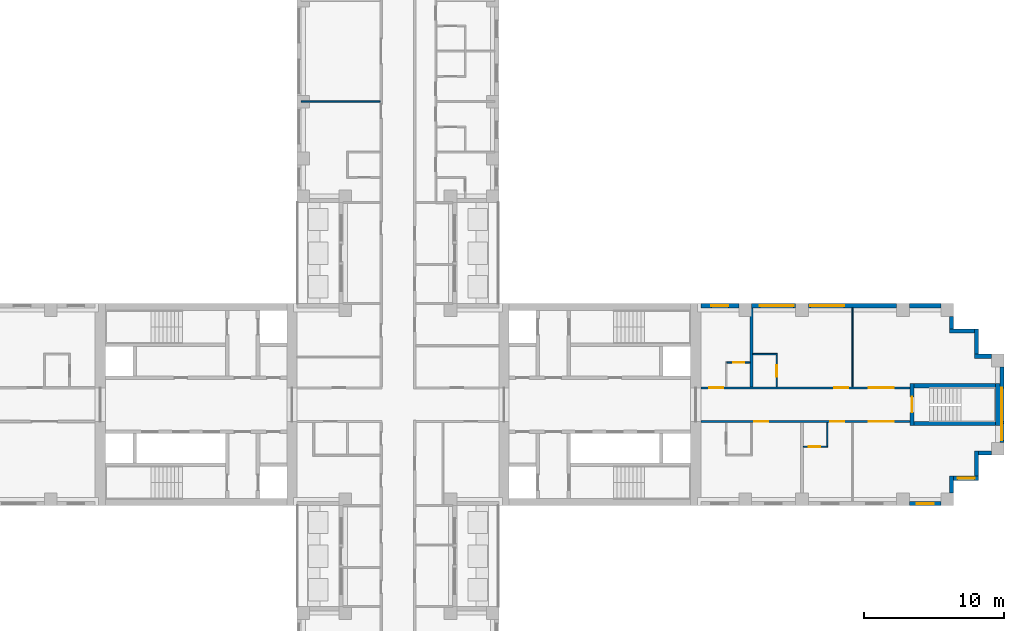
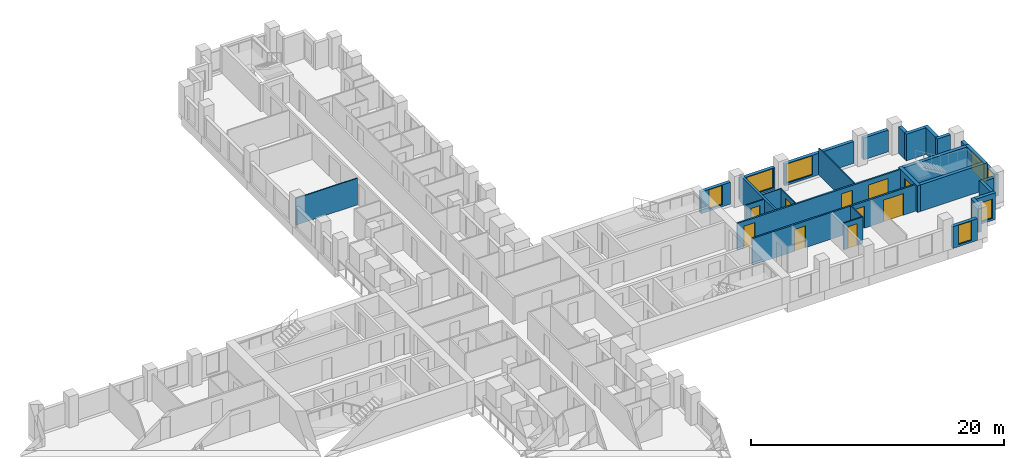
# One storey, part 10 of 15: 28 walls, 10 doors, 7 windows, 17 openings.
"""IFC4 building model written with IfcOpenShell, lengths in metres."""

from ifc_helpers import new_model, si_unit, direction, frame, frame_2d, origin, place, context, subcontext, project, spatial, rectangle, extrude, material, layer, layer_set, type_object, element, fill, save


model = new_model("IFC4")

# Units and contexts
model_context = context("Model", 3, precision=1e-05, world=origin(), true_north=direction((0.0, 1.0)))
body_context = subcontext(model_context, "Body", "Model", "MODEL_VIEW")
ifc_project = project(units=[si_unit("LENGTHUNIT", "METRE"), si_unit("AREAUNIT", "SQUARE_METRE"), si_unit("VOLUMEUNIT", "CUBIC_METRE"), si_unit("PLANEANGLEUNIT", "RADIAN"), si_unit("MASSUNIT", "GRAM", prefix="KILO")], contexts=[model_context])

# Site, building, storey
site_placement = place(None, origin())
site = spatial("IfcSite", under=ifc_project, at=site_placement, CompositionType="ELEMENT")
building_placement = place(site_placement, origin())
building = spatial("IfcBuilding", under=site, at=building_placement, Name="Fustian Cross Tower", CompositionType="ELEMENT")
storey_placement = place(building_placement, frame((0.0, 0.0, 38.699951171875)))
storey = spatial("IfcBuildingStorey", under=building, at=storey_placement, Name="L11", CompositionType="ELEMENT", Elevation=38.699951171875)

# Wall, openings, doors
ifc_material_1 = material(Name="Plasterboard on steel stud", Category="steel")
ifc_layer_1 = layer(ifc_material_1, 0.14990234375)
ifc_layer_set_1 = layer_set([ifc_layer_1], Name="Plasterboard on steel stud")
wall_type_1 = type_object("IfcWallType", Name="COMPARTMENT WALL 150 EI 60", PredefinedType="PARTITIONING", material=ifc_layer_set_1)
wall_1_placement = place(storey_placement, frame((21.60009765625, -1.199951171875, 0.0), z_axis=(0.0, 0.0, 1.0), x_axis=(1.0, 0.0, 0.0)))
wall_1 = element("IfcWall", 1, at=wall_1_placement, inside=storey, type_object=wall_type_1, Name="Partition 80", PredefinedType="PARTITIONING", context=body_context, shape_type="SweptSolid", body=[
    extrude(rectangle(XDim=14.89990234375, YDim=0.14990234375, at=frame_2d((7.449951171875, 0.0))), origin(), (0.0, 0.0, 1.0), 2.574951171875),
])
opening_1_placement = place(wall_1_placement, frame((3.800048828125, 0.0, 0.0)))
opening_1 = element("IfcOpeningElement", 2, at=opening_1_placement, cuts=wall_1, Name="Opening D07016", PredefinedType="OPENING", context=body_context, shape_type="SweptSolid", body=[
    extrude(rectangle(XDim=1.0, YDim=2.10009765625, at=frame_2d((0.5, 1.050048828125))), frame((0.0, 0.0849609375, 0.0), z_axis=(0.0, -1.0, 0.0), x_axis=(1.0, 0.0, 0.0)), (0.0, 0.0, 1.0), 0.169921875),
])
opening_2_placement = place(wall_1_placement, frame((9.199951171875, 0.0, 0.0)))
opening_2 = element("IfcOpeningElement", 3, at=opening_2_placement, cuts=wall_1, Name="Opening D07018", PredefinedType="OPENING", context=body_context, shape_type="SweptSolid", body=[
    extrude(rectangle(XDim=1.0, YDim=2.10009765625, at=frame_2d((0.5, 1.050048828125))), frame((0.0, 0.0849609375, 0.0), z_axis=(0.0, -1.0, 0.0), x_axis=(1.0, 0.0, 0.0)), (0.0, 0.0, 1.0), 0.169921875),
])
opening_3_placement = place(wall_1_placement, frame((11.949951171875, 0.0, 0.0)))
opening_3 = element("IfcOpeningElement", 4, at=opening_3_placement, cuts=wall_1, Name="Opening D07019", PredefinedType="OPENING", context=body_context, shape_type="SweptSolid", body=[
    extrude(rectangle(XDim=1.800048828125, YDim=2.10009765625, at=frame_2d((0.89990234375, 1.050048828125))), frame((0.0, 0.0849609375, 0.0), z_axis=(0.0, -1.0, 0.0), x_axis=(1.0, 0.0, 0.0)), (0.0, 0.0, 1.0), 0.169921875),
])
ifc_material_2 = material(Name="Timber fire door set", Category="wood")
door_type_1 = type_object("IfcDoorType", Name="FIRE DOUBLE DOOR 1800 FD30S", OperationType="DOUBLE_DOOR_DOUBLE_SWING", PredefinedType="DOOR", material=ifc_material_2)
door_1_placement = place(opening_3_placement, origin())
door_1 = element("IfcDoor", 5, at=door_1_placement, inside=storey, type_object=door_type_1, Name="Door D07019", OperationType="DOUBLE_DOOR_DOUBLE_SWING", OverallHeight=2.10009765625, OverallWidth=1.800048828125, PredefinedType="DOOR", context=body_context, shape_type="SweptSolid", body=[
    extrude(rectangle(XDim=1.800048828125, YDim=2.10009765625, at=frame_2d((0.89990234375, 1.050048828125))), frame((0.0, 0.02490234375, 0.0), z_axis=(0.0, -1.0, 0.0), x_axis=(1.0, 0.0, 0.0)), (0.0, 0.0, 1.0), 0.050048828125),
])
fill(opening_3, door_1)
ifc_material_3 = material(Name="Timber fire door set", Category="wood")
door_type_2 = type_object("IfcDoorType", Name="FIRE SWING DOOR 1000 FD30S", OperationType="SINGLE_SWING_LEFT", PredefinedType="DOOR", material=ifc_material_3)
door_2_placement = place(opening_1_placement, frame((1.0, 0.0, 0.0), z_axis=(0.0, 0.0, 1.0), x_axis=(-1.0, 0.0, 0.0)))
door_2 = element("IfcDoor", 6, at=door_2_placement, inside=storey, type_object=door_type_2, Name="Door D07016", OperationType="SINGLE_SWING_RIGHT", OverallHeight=2.10009765625, OverallWidth=1.0, PredefinedType="DOOR", context=body_context, shape_type="SweptSolid", body=[
    extrude(rectangle(XDim=1.0, YDim=2.10009765625, at=frame_2d((0.5, 1.050048828125))), frame((0.0, 0.02490234375, 0.0), z_axis=(0.0, -1.0, 0.0), x_axis=(1.0, 0.0, 0.0)), (0.0, 0.0, 1.0), 0.050048828125),
])
fill(opening_1, door_2)
door_3_placement = place(opening_2_placement, frame((1.0, 0.0, 0.0), z_axis=(0.0, 0.0, 1.0), x_axis=(-1.0, 0.0, 0.0)))
door_3 = element("IfcDoor", 7, at=door_3_placement, inside=storey, type_object=door_type_2, Name="Door D07018", OperationType="SINGLE_SWING_RIGHT", OverallHeight=2.10009765625, OverallWidth=1.0, PredefinedType="DOOR", context=body_context, shape_type="SweptSolid", body=[
    extrude(rectangle(XDim=1.0, YDim=2.10009765625, at=frame_2d((0.5, 1.050048828125))), frame((0.0, 0.02490234375, 0.0), z_axis=(0.0, -1.0, 0.0), x_axis=(1.0, 0.0, 0.0)), (0.0, 0.0, 1.0), 0.050048828125),
])
fill(opening_2, door_3)

wall_2_placement = place(storey_placement, frame((21.60009765625, 1.199951171875, 0.0), z_axis=(0.0, 0.0, 1.0), x_axis=(1.0, 0.0, 0.0)))
wall_2 = element("IfcWall", 8, at=wall_2_placement, inside=storey, type_object=wall_type_1, Name="Partition 81", PredefinedType="PARTITIONING", context=body_context, shape_type="SweptSolid", body=[
    extrude(rectangle(XDim=14.89990234375, YDim=0.14990234375, at=frame_2d((7.449951171875, 0.0))), origin(), (0.0, 0.0, 1.0), 2.574951171875),
])
opening_4_placement = place(wall_2_placement, frame((0.60009765625, 0.0, 0.0)))
opening_4 = element("IfcOpeningElement", 9, at=opening_4_placement, cuts=wall_2, Name="Opening D07011", PredefinedType="OPENING", context=body_context, shape_type="SweptSolid", body=[
    extrude(rectangle(XDim=1.0, YDim=2.10009765625, at=frame_2d((0.5, 1.050048828125))), frame((0.0, 0.0849609375, 0.0), z_axis=(0.0, -1.0, 0.0), x_axis=(1.0, 0.0, 0.0)), (0.0, 0.0, 1.0), 0.169921875),
])
opening_5_placement = place(wall_2_placement, frame((9.489990234375, 0.0, 0.0)))
opening_5 = element("IfcOpeningElement", 10, at=opening_5_placement, cuts=wall_2, Name="Opening D07013", PredefinedType="OPENING", context=body_context, shape_type="SweptSolid", body=[
    extrude(rectangle(XDim=1.0, YDim=2.10009765625, at=frame_2d((0.5, 1.050048828125))), frame((0.0, 0.0849609375, 0.0), z_axis=(0.0, -1.0, 0.0), x_axis=(1.0, 0.0, 0.0)), (0.0, 0.0, 1.0), 0.169921875),
])
opening_6_placement = place(wall_2_placement, frame((11.949951171875, 0.0, 0.0)))
opening_6 = element("IfcOpeningElement", 11, at=opening_6_placement, cuts=wall_2, Name="Opening D07014", PredefinedType="OPENING", context=body_context, shape_type="SweptSolid", body=[
    extrude(rectangle(XDim=1.800048828125, YDim=2.10009765625, at=frame_2d((0.89990234375, 1.050048828125))), frame((0.0, 0.0849609375, 0.0), z_axis=(0.0, -1.0, 0.0), x_axis=(1.0, 0.0, 0.0)), (0.0, 0.0, 1.0), 0.169921875),
])
door_4_placement = place(opening_6_placement, frame((1.800048828125, 0.0, 0.0), z_axis=(0.0, 0.0, 1.0), x_axis=(-1.0, 0.0, 0.0)))
door_4 = element("IfcDoor", 12, at=door_4_placement, inside=storey, type_object=door_type_1, Name="Door D07014", OperationType="DOUBLE_DOOR_DOUBLE_SWING", OverallHeight=2.10009765625, OverallWidth=1.800048828125, PredefinedType="DOOR", context=body_context, shape_type="SweptSolid", body=[
    extrude(rectangle(XDim=1.800048828125, YDim=2.10009765625, at=frame_2d((0.89990234375, 1.050048828125))), frame((0.0, 0.02490234375, 0.0), z_axis=(0.0, -1.0, 0.0), x_axis=(1.0, 0.0, 0.0)), (0.0, 0.0, 1.0), 0.050048828125),
])
fill(opening_6, door_4)
door_5_placement = place(opening_4_placement, origin())
door_5 = element("IfcDoor", 13, at=door_5_placement, inside=storey, type_object=door_type_2, Name="Door D07011", OperationType="SINGLE_SWING_RIGHT", OverallHeight=2.10009765625, OverallWidth=1.0, PredefinedType="DOOR", context=body_context, shape_type="SweptSolid", body=[
    extrude(rectangle(XDim=1.0, YDim=2.10009765625, at=frame_2d((0.5, 1.050048828125))), frame((0.0, 0.02490234375, 0.0), z_axis=(0.0, -1.0, 0.0), x_axis=(1.0, 0.0, 0.0)), (0.0, 0.0, 1.0), 0.050048828125),
])
fill(opening_4, door_5)
door_6_placement = place(opening_5_placement, origin())
door_6 = element("IfcDoor", 14, at=door_6_placement, inside=storey, type_object=door_type_2, Name="Door D07013", OperationType="SINGLE_SWING_RIGHT", OverallHeight=2.10009765625, OverallWidth=1.0, PredefinedType="DOOR", context=body_context, shape_type="SweptSolid", body=[
    extrude(rectangle(XDim=1.0, YDim=2.10009765625, at=frame_2d((0.5, 1.050048828125))), frame((0.0, 0.02490234375, 0.0), z_axis=(0.0, -1.0, 0.0), x_axis=(1.0, 0.0, 0.0)), (0.0, 0.0, 1.0), 0.050048828125),
])
fill(opening_5, door_6)

# Wall
ifc_material_4 = material(Name="Plasterboard on steel stud", Category="steel")
ifc_layer_2 = layer(ifc_material_4, 0.10009765625)
ifc_layer_set_2 = layer_set([ifc_layer_2], Name="Plasterboard on steel stud")
wall_type_2 = type_object("IfcWallType", Name="PARTITION 100 STUD", PredefinedType="PARTITIONING", material=ifc_layer_set_2)
wall_3_placement = place(storey_placement, frame((-6.89990234375, 21.60009765625, 0.0), z_axis=(0.0, 0.0, 1.0), x_axis=(1.0, 0.0, 0.0)))
element("IfcWall", 15, at=wall_3_placement, inside=storey, type_object=wall_type_2, Name="Partition 19", PredefinedType="PARTITIONING", context=body_context, shape_type="SweptSolid", body=[
    extrude(rectangle(XDim=5.625, YDim=0.10009765625, at=frame_2d((2.8125, 0.0))), origin(), (0.0, 0.0, 1.0), 2.574951171875),
])

# Wall, opening, door
wall_4_placement = place(storey_placement, frame((23.449951171875, 3.0, 0.0), z_axis=(0.0, 0.0, 1.0), x_axis=(1.0, 0.0, 0.0)))
wall_4 = element("IfcWall", 16, at=wall_4_placement, inside=storey, type_object=wall_type_2, Name="Partition 85", PredefinedType="PARTITIONING", context=body_context, shape_type="SweptSolid", body=[
    extrude(rectangle(XDim=1.650146484375, YDim=0.10009765625, at=frame_2d((0.8251953125, 0.0))), origin(), (0.0, 0.0, 1.0), 2.574951171875),
])
opening_7_placement = place(wall_4_placement, frame((0.449951171875, 0.0, 0.0)))
opening_7 = element("IfcOpeningElement", 17, at=opening_7_placement, cuts=wall_4, Name="Opening D07010", PredefinedType="OPENING", context=body_context, shape_type="SweptSolid", body=[
    extrude(rectangle(XDim=0.800048828125, YDim=2.10009765625, at=frame_2d((0.39990234375, 1.050048828125))), frame((0.0, 0.06005859375, 0.0), z_axis=(0.0, -1.0, 0.0), x_axis=(1.0, 0.0, 0.0)), (0.0, 0.0, 1.0), 0.1201171875),
])
ifc_material_5 = material(Name="Painted timber", Category="wood")
door_type_3 = type_object("IfcDoorType", Name="SWING DOOR 800", OperationType="SINGLE_SWING_LEFT", PredefinedType="DOOR", material=ifc_material_5)
door_7_placement = place(opening_7_placement, frame((0.800048828125, 0.0, 0.0), z_axis=(0.0, 0.0, 1.0), x_axis=(-1.0, 0.0, 0.0)))
door_7 = element("IfcDoor", 18, at=door_7_placement, inside=storey, type_object=door_type_3, Name="Door D07010", OperationType="SINGLE_SWING_LEFT", OverallHeight=2.10009765625, OverallWidth=0.800048828125, PredefinedType="DOOR", context=body_context, shape_type="SweptSolid", body=[
    extrude(rectangle(XDim=0.800048828125, YDim=2.10009765625, at=frame_2d((0.39990234375, 1.050048828125))), frame((0.0, 0.02490234375, 0.0), z_axis=(0.0, -1.0, 0.0), x_axis=(1.0, 0.0, 0.0)), (0.0, 0.0, 1.0), 0.050048828125),
])
fill(opening_7, door_7)

# Wall
wall_5_placement = place(storey_placement, frame((25.300048828125, 3.60009765625, 0.0), z_axis=(0.0, 0.0, 1.0), x_axis=(1.0, 0.0, 0.0)))
element("IfcWall", 19, at=wall_5_placement, inside=storey, type_object=wall_type_2, Name="Partition 88", PredefinedType="PARTITIONING", context=body_context, shape_type="SweptSolid", body=[
    extrude(rectangle(XDim=1.75, YDim=0.10009765625, at=frame_2d((0.875, 0.0))), origin(), (0.0, 0.0, 1.0), 2.574951171875),
])

# Wall, opening, door
wall_6_placement = place(storey_placement, frame((27.0, 1.27490234375, 0.0), z_axis=(0.0, 0.0, 1.0), x_axis=(0.0, 1.0, 0.0)))
wall_6 = element("IfcWall", 20, at=wall_6_placement, inside=storey, type_object=wall_type_2, Name="Partition 89", PredefinedType="PARTITIONING", context=body_context, shape_type="SweptSolid", body=[
    extrude(rectangle(XDim=2.275146484375, YDim=0.10009765625, at=frame_2d((1.1376953125, 0.0))), origin(), (0.0, 0.0, 1.0), 2.574951171875),
])
opening_8_placement = place(wall_6_placement, frame((0.72509765625, 0.0, 0.0)))
opening_8 = element("IfcOpeningElement", 21, at=opening_8_placement, cuts=wall_6, Name="Opening D07012", PredefinedType="OPENING", context=body_context, shape_type="SweptSolid", body=[
    extrude(rectangle(XDim=0.800048828125, YDim=2.10009765625, at=frame_2d((0.39990234375, 1.050048828125))), frame((0.0, 0.06005859375, 0.0), z_axis=(0.0, -1.0, 0.0), x_axis=(1.0, 0.0, 0.0)), (0.0, 0.0, 1.0), 0.1201171875),
])
door_8_placement = place(opening_8_placement, origin())
door_8 = element("IfcDoor", 22, at=door_8_placement, inside=storey, type_object=door_type_3, Name="Door D07012", OperationType="SINGLE_SWING_LEFT", OverallHeight=2.10009765625, OverallWidth=0.800048828125, PredefinedType="DOOR", context=body_context, shape_type="SweptSolid", body=[
    extrude(rectangle(XDim=0.800048828125, YDim=2.10009765625, at=frame_2d((0.39990234375, 1.050048828125))), frame((0.0, 0.02490234375, 0.0), z_axis=(0.0, -1.0, 0.0), x_axis=(1.0, 0.0, 0.0)), (0.0, 0.0, 1.0), 0.050048828125),
])
fill(opening_8, door_8)

wall_7_placement = place(storey_placement, frame((28.89990234375, -3.0, 0.0), z_axis=(0.0, 0.0, 1.0), x_axis=(1.0, 0.0, 0.0)))
wall_7 = element("IfcWall", 23, at=wall_7_placement, inside=storey, type_object=wall_type_2, Name="Partition 91", PredefinedType="PARTITIONING", context=body_context, shape_type="SweptSolid", body=[
    extrude(rectangle(XDim=1.75, YDim=0.10009765625, at=frame_2d((0.875, 0.0))), origin(), (0.0, 0.0, 1.0), 2.574951171875),
])
opening_9_placement = place(wall_7_placement, frame((0.39990234375, 0.0, 0.0)))
opening_9 = element("IfcOpeningElement", 24, at=opening_9_placement, cuts=wall_7, Name="Opening D07017", PredefinedType="OPENING", context=body_context, shape_type="SweptSolid", body=[
    extrude(rectangle(XDim=0.800048828125, YDim=2.10009765625, at=frame_2d((0.39990234375, 1.050048828125))), frame((0.0, 0.06005859375, 0.0), z_axis=(0.0, -1.0, 0.0), x_axis=(1.0, 0.0, 0.0)), (0.0, 0.0, 1.0), 0.1201171875),
])
door_9_placement = place(opening_9_placement, origin())
door_9 = element("IfcDoor", 25, at=door_9_placement, inside=storey, type_object=door_type_3, Name="Door D07017", OperationType="SINGLE_SWING_RIGHT", OverallHeight=2.10009765625, OverallWidth=0.800048828125, PredefinedType="DOOR", context=body_context, shape_type="SweptSolid", body=[
    extrude(rectangle(XDim=0.800048828125, YDim=2.10009765625, at=frame_2d((0.39990234375, 1.050048828125))), frame((0.0, 0.02490234375, 0.0), z_axis=(0.0, -1.0, 0.0), x_axis=(1.0, 0.0, 0.0)), (0.0, 0.0, 1.0), 0.050048828125),
])
fill(opening_9, door_9)

# Walls
wall_8_placement = place(storey_placement, frame((30.60009765625, -2.949951171875, 0.0), z_axis=(0.0, 0.0, 1.0), x_axis=(0.0, 1.0, 0.0)))
element("IfcWall", 26, at=wall_8_placement, inside=storey, type_object=wall_type_2, Name="Partition 92", PredefinedType="PARTITIONING", context=body_context, shape_type="SweptSolid", body=[
    extrude(rectangle(XDim=1.675048828125, YDim=0.10009765625, at=frame_2d((0.83740234375, 0.0))), origin(), (0.0, 0.0, 1.0), 2.574951171875),
])
wall_9_placement = place(storey_placement, frame((32.39990234375, 1.27490234375, 0.0), z_axis=(0.0, 0.0, 1.0), x_axis=(0.0, 1.0, 0.0)))
element("IfcWall", 27, at=wall_9_placement, inside=storey, type_object=wall_type_2, Name="Partition 94", PredefinedType="PARTITIONING", context=body_context, shape_type="SweptSolid", body=[
    extrude(rectangle(XDim=5.625, YDim=0.10009765625, at=frame_2d((2.8125, 0.0))), origin(), (0.0, 0.0, 1.0), 2.574951171875),
])
ifc_material_6 = material(Name="Plasterboard on steel stud", Category="steel")
ifc_layer_3 = layer(ifc_material_6, 0.199951171875)
ifc_layer_set_3 = layer_set([ifc_layer_3], Name="Plasterboard on steel stud")
wall_type_3 = type_object("IfcWallType", Name="PARTY WALL 200 EI 60", PredefinedType="PARTITIONING", material=ifc_layer_set_3)
wall_10_placement = place(storey_placement, frame((25.199951171875, 1.27490234375, 0.0), z_axis=(0.0, 0.0, 1.0), x_axis=(0.0, 1.0, 0.0)))
element("IfcWall", 28, at=wall_10_placement, inside=storey, type_object=wall_type_3, Name="Partition 87", PredefinedType="PARTITIONING", context=body_context, shape_type="SweptSolid", body=[
    extrude(rectangle(XDim=5.625, YDim=0.199951171875, at=frame_2d((2.8125, 0.0))), origin(), (0.0, 0.0, 1.0), 2.574951171875),
])

# Wall, opening, door
ifc_material_7 = material(Name="Concrete C50/60", Category="concrete")
ifc_layer_4 = layer(ifc_material_7, 0.300048828125)
ifc_layer_set_4 = layer_set([ifc_layer_4], Name="Concrete C50/60")
wall_type_4 = type_object("IfcWallType", Name="STAIR ENCLOSURE WALL 300 C50/60", PredefinedType="SHEAR", material=ifc_layer_set_4)
wall_11_placement = place(storey_placement, frame((36.64990234375, -1.5, 0.0), z_axis=(0.0, 0.0, 1.0), x_axis=(0.0, 1.0, 0.0)))
wall_11 = element("IfcWall", 29, at=wall_11_placement, inside=storey, type_object=wall_type_4, Name="Stair enclosure wall", PredefinedType="SHEAR", context=body_context, shape_type="SweptSolid", body=[
    extrude(rectangle(XDim=3.0, YDim=0.300048828125, at=frame_2d((1.5, 0.0))), origin(), (0.0, 0.0, 1.0), 2.574951171875),
])
opening_10_placement = place(wall_11_placement, frame((0.949951171875, 0.0, 0.0)))
opening_10 = element("IfcOpeningElement", 30, at=opening_10_placement, cuts=wall_11, Name="Opening CD-04-31", PredefinedType="OPENING", context=body_context, shape_type="SweptSolid", body=[
    extrude(rectangle(XDim=1.10009765625, YDim=2.10009765625, at=frame_2d((0.550048828125, 1.050048828125))), frame((0.0, 0.159912109375, 0.0), z_axis=(0.0, -1.0, 0.0), x_axis=(1.0, 0.0, 0.0)), (0.0, 0.0, 1.0), 0.320068359375),
])
ifc_material_8 = material(Name="Steel", Category="steel")
door_type_4 = type_object("IfcDoorType", Name="FIRE DOOR FD60S 1100X2100", OperationType="SINGLE_SWING_LEFT", PredefinedType="DOOR", material=ifc_material_8)
door_10_placement = place(opening_10_placement, frame((1.10009765625, 0.0, 0.0), z_axis=(0.0, 0.0, 1.0), x_axis=(-1.0, 0.0, 0.0)))
door_10 = element("IfcDoor", 31, at=door_10_placement, inside=storey, type_object=door_type_4, Name="Core door CD-04-31", OperationType="SINGLE_SWING_RIGHT", OverallHeight=2.10009765625, OverallWidth=1.10009765625, PredefinedType="DOOR", context=body_context, shape_type="SweptSolid", body=[
    extrude(rectangle(XDim=1.10009765625, YDim=2.10009765625, at=frame_2d((0.550048828125, 1.050048828125))), frame((0.0, 0.02490234375, 0.0), z_axis=(0.0, -1.0, 0.0), x_axis=(1.0, 0.0, 0.0)), (0.0, 0.0, 1.0), 0.050048828125),
])
fill(opening_10, door_10)

# Walls
wall_12_placement = place(storey_placement, frame((42.75, -1.5, 0.0), z_axis=(0.0, 0.0, 1.0), x_axis=(0.0, 1.0, 0.0)))
element("IfcWall", 32, at=wall_12_placement, inside=storey, type_object=wall_type_4, Name="Stair enclosure wall", PredefinedType="SHEAR", context=body_context, shape_type="SweptSolid", body=[
    extrude(rectangle(XDim=3.0, YDim=0.300048828125, at=frame_2d((1.5, 0.0))), origin(), (0.0, 0.0, 1.0), 2.574951171875),
])
for number, where, z_axis, x_axis, name in (
    (33, (36.800048828125, -1.35009765625, 0.0), (0.0, 0.0, 1.0), (1.0, 0.0, 0.0), "Stair enclosure wall"),
    (34, (36.800048828125, 1.35009765625, 0.0), (0.0, 0.0, 1.0), (1.0, 0.0, 0.0), "Stair enclosure wall"),
):
    element("IfcWall", number, at=place(storey_placement, frame(where, z_axis=z_axis, x_axis=x_axis)), inside=storey, type_object=wall_type_4, Name=name, PredefinedType="SHEAR", context=body_context, shape_type="SweptSolid", body=[
        extrude(rectangle(XDim=5.800048828125, YDim=0.300048828125, at=frame_2d((2.89990234375, 0.0))), origin(), (0.0, 0.0, 1.0), 2.574951171875),
    ])

# Wall, opening, window
ifc_material_9 = material(Name="Dark aluminium cladding on insulated backing wall", Category="aluminium")
ifc_layer_5 = layer(ifc_material_9, 0.300048828125)
ifc_layer_set_5 = layer_set([ifc_layer_5], Name="Dark aluminium cladding on insulated backing wall")
wall_type_5 = type_object("IfcWallType", Name="XW1 EXTERNAL WALL 300", PredefinedType="SOLIDWALL", material=ifc_layer_set_5)
wall_13_placement = place(storey_placement, frame((36.449951171875, -7.050048828125, 0.0), z_axis=(0.0, 0.0, 1.0), x_axis=(1.0, 0.0, 0.0)))
wall_13 = element("IfcWall", 35, at=wall_13_placement, inside=storey, type_object=wall_type_5, Name="External wall", PredefinedType="SOLIDWALL", context=body_context, shape_type="SweptSolid", body=[
    extrude(rectangle(XDim=2.25, YDim=0.300048828125, at=frame_2d((1.125, 0.0))), origin(), (0.0, 0.0, 1.0), 2.10009765625),
])
opening_11_placement = place(wall_13_placement, frame((0.52490234375, 0.0, 0.199951171875)))
opening_11 = element("IfcOpeningElement", 36, at=opening_11_placement, cuts=wall_13, Name="Opening WN3", PredefinedType="OPENING", context=body_context, shape_type="SweptSolid", body=[
    extrude(rectangle(XDim=1.199951171875, YDim=1.85009765625, at=frame_2d((0.60009765625, 0.925048828125))), frame((0.0, 0.159912109375, 0.0), z_axis=(0.0, -1.0, 0.0), x_axis=(1.0, 0.0, 0.0)), (0.0, 0.0, 1.0), 0.320068359375),
])
ifc_material_10 = material(Name="Dark anodised aluminium and double glazing", Category="aluminium")
window_type_1 = type_object("IfcWindowType", Name="WN3 WINDOW 1200X1850", PartitioningType="SINGLE_PANEL", PredefinedType="WINDOW", material=ifc_material_10)
window_1_placement = place(opening_11_placement, origin())
window_1 = element("IfcWindow", 37, at=window_1_placement, inside=storey, type_object=window_type_1, Name="Window", OverallHeight=1.85009765625, OverallWidth=1.199951171875, PartitioningType="SINGLE_PANEL", PredefinedType="WINDOW", context=body_context, shape_type="SweptSolid", body=[
    extrude(rectangle(XDim=1.199951171875, YDim=1.85009765625, at=frame_2d((0.60009765625, 0.925048828125))), frame((0.0, 0.030029296875, 0.0), z_axis=(0.0, -1.0, 0.0), x_axis=(1.0, 0.0, 0.0)), (0.0, 0.0, 1.0), 0.06005859375),
])
fill(opening_11, window_1)

# Wall
wall_14_placement = place(storey_placement, frame((39.449951171875, -6.300048828125, 0.0), z_axis=(0.0, 0.0, 1.0), x_axis=(0.0, 1.0, 0.0)))
element("IfcWall", 38, at=wall_14_placement, inside=storey, type_object=wall_type_5, Name="External wall", PredefinedType="SOLIDWALL", context=body_context, shape_type="SweptSolid", body=[
    extrude(rectangle(XDim=1.199951171875, YDim=0.300048828125, at=frame_2d((0.60009765625, 0.0))), origin(), (0.0, 0.0, 1.0), 2.574951171875),
])

# Wall, opening, window
wall_15_placement = place(storey_placement, frame((39.60009765625, -5.25, 0.0), z_axis=(0.0, 0.0, 1.0), x_axis=(1.0, 0.0, 0.0)))
wall_15 = element("IfcWall", 39, at=wall_15_placement, inside=storey, type_object=wall_type_5, Name="External wall", PredefinedType="SOLIDWALL", context=body_context, shape_type="SweptSolid", body=[
    extrude(rectangle(XDim=1.7998046875, YDim=0.300048828125, at=frame_2d((0.89990234375, 0.0))), origin(), (0.0, 0.0, 1.0), 2.574951171875),
])
opening_12_placement = place(wall_15_placement, frame((0.300048828125, 0.0, 0.199951171875)))
opening_12 = element("IfcOpeningElement", 40, at=opening_12_placement, cuts=wall_15, Name="Opening WN3", PredefinedType="OPENING", context=body_context, shape_type="SweptSolid", body=[
    extrude(rectangle(XDim=1.199951171875, YDim=1.85009765625, at=frame_2d((0.60009765625, 0.925048828125))), frame((0.0, 0.159912109375, 0.0), z_axis=(0.0, -1.0, 0.0), x_axis=(1.0, 0.0, 0.0)), (0.0, 0.0, 1.0), 0.320068359375),
])
window_2_placement = place(opening_12_placement, origin())
window_2 = element("IfcWindow", 41, at=window_2_placement, inside=storey, type_object=window_type_1, Name="Window", OverallHeight=1.85009765625, OverallWidth=1.199951171875, PartitioningType="SINGLE_PANEL", PredefinedType="WINDOW", context=body_context, shape_type="SweptSolid", body=[
    extrude(rectangle(XDim=1.199951171875, YDim=1.85009765625, at=frame_2d((0.60009765625, 0.925048828125))), frame((0.0, 0.030029296875, 0.0), z_axis=(0.0, -1.0, 0.0), x_axis=(1.0, 0.0, 0.0)), (0.0, 0.0, 1.0), 0.06005859375),
])
fill(opening_12, window_2)

# Walls
wall_16_placement = place(storey_placement, frame((41.25, -5.10009765625, 0.0), z_axis=(0.0, 0.0, 1.0), x_axis=(0.0, 1.0, 0.0)))
element("IfcWall", 42, at=wall_16_placement, inside=storey, type_object=wall_type_5, Name="External wall", PredefinedType="SOLIDWALL", context=body_context, shape_type="SweptSolid", body=[
    extrude(rectangle(XDim=1.800048828125, YDim=0.300048828125, at=frame_2d((0.89990234375, 0.0))), origin(), (0.0, 0.0, 1.0), 2.574951171875),
])
wall_17_placement = place(storey_placement, frame((41.39990234375, -3.449951171875, 0.0), z_axis=(0.0, 0.0, 1.0), x_axis=(1.0, 0.0, 0.0)))
element("IfcWall", 43, at=wall_17_placement, inside=storey, type_object=wall_type_5, Name="External wall", PredefinedType="SOLIDWALL", context=body_context, shape_type="SweptSolid", body=[
    extrude(rectangle(XDim=0.900146484375, YDim=0.300048828125, at=frame_2d((0.4501953125, 0.0))), origin(), (0.0, 0.0, 1.0), 2.574951171875),
])

# Wall, openings, windows
wall_18_placement = place(storey_placement, frame((43.050048828125, -2.699951171875, 0.0), z_axis=(0.0, 0.0, 1.0), x_axis=(0.0, 1.0, 0.0)))
wall_18 = element("IfcWall", 44, at=wall_18_placement, inside=storey, type_object=wall_type_5, Name="External wall", PredefinedType="SOLIDWALL", context=body_context, shape_type="SweptSolid", body=[
    extrude(rectangle(XDim=5.39990234375, YDim=0.300048828125, at=frame_2d((2.699951171875, 0.0))), origin(), (0.0, 0.0, 1.0), 2.10009765625),
])
opening_13_placement = place(wall_18_placement, frame((1.5, 0.0, 0.199951171875)))
opening_13 = element("IfcOpeningElement", 45, at=opening_13_placement, cuts=wall_18, Name="Opening WN1", PredefinedType="OPENING", context=body_context, shape_type="SweptSolid", body=[
    extrude(rectangle(XDim=2.39990234375, YDim=1.85009765625, at=frame_2d((1.199951171875, 0.925048828125))), frame((0.0, 0.159912109375, 0.0), z_axis=(0.0, -1.0, 0.0), x_axis=(1.0, 0.0, 0.0)), (0.0, 0.0, 1.0), 0.320068359375),
])
opening_14_placement = place(wall_18_placement, frame((0.14990234375, 0.0, 0.199951171875)))
opening_14 = element("IfcOpeningElement", 46, at=opening_14_placement, cuts=wall_18, Name="Opening WN3", PredefinedType="OPENING", context=body_context, shape_type="SweptSolid", body=[
    extrude(rectangle(XDim=1.199951171875, YDim=1.85009765625, at=frame_2d((0.60009765625, 0.925048828125))), frame((0.0, 0.159912109375, 0.0), z_axis=(0.0, -1.0, 0.0), x_axis=(1.0, 0.0, 0.0)), (0.0, 0.0, 1.0), 0.320068359375),
])
ifc_material_11 = material(Name="Dark anodised aluminium and double glazing", Category="aluminium")
window_type_2 = type_object("IfcWindowType", Name="WN1 WINDOW 2400X1850", PartitioningType="SINGLE_PANEL", PredefinedType="WINDOW", material=ifc_material_11)
window_3_placement = place(opening_13_placement, origin())
window_3 = element("IfcWindow", 47, at=window_3_placement, inside=storey, type_object=window_type_2, Name="Window", OverallHeight=1.85009765625, OverallWidth=2.39990234375, PartitioningType="SINGLE_PANEL", PredefinedType="WINDOW", context=body_context, shape_type="SweptSolid", body=[
    extrude(rectangle(XDim=2.39990234375, YDim=1.85009765625, at=frame_2d((1.199951171875, 0.925048828125))), frame((0.0, 0.030029296875, 0.0), z_axis=(0.0, -1.0, 0.0), x_axis=(1.0, 0.0, 0.0)), (0.0, 0.0, 1.0), 0.06005859375),
])
fill(opening_13, window_3)
window_4_placement = place(opening_14_placement, origin())
window_4 = element("IfcWindow", 48, at=window_4_placement, inside=storey, type_object=window_type_1, Name="Window", OverallHeight=1.85009765625, OverallWidth=1.199951171875, PartitioningType="SINGLE_PANEL", PredefinedType="WINDOW", context=body_context, shape_type="SweptSolid", body=[
    extrude(rectangle(XDim=1.199951171875, YDim=1.85009765625, at=frame_2d((0.60009765625, 0.925048828125))), frame((0.0, 0.030029296875, 0.0), z_axis=(0.0, -1.0, 0.0), x_axis=(1.0, 0.0, 0.0)), (0.0, 0.0, 1.0), 0.06005859375),
])
fill(opening_14, window_4)

# Walls
wall_19_placement = place(storey_placement, frame((42.300048828125, 3.449951171875, 0.0), z_axis=(0.0, 0.0, 1.0), x_axis=(-1.0, 0.0, 0.0)))
element("IfcWall", 49, at=wall_19_placement, inside=storey, type_object=wall_type_5, Name="External wall", PredefinedType="SOLIDWALL", context=body_context, shape_type="SweptSolid", body=[
    extrude(rectangle(XDim=1.199951171875, YDim=0.300048828125, at=frame_2d((0.60009765625, 0.0))), origin(), (0.0, 0.0, 1.0), 2.574951171875),
])
wall_20_placement = place(storey_placement, frame((41.25, 3.60009765625, 0.0), z_axis=(0.0, 0.0, 1.0), x_axis=(0.0, 1.0, 0.0)))
element("IfcWall", 50, at=wall_20_placement, inside=storey, type_object=wall_type_5, Name="External wall", PredefinedType="SOLIDWALL", context=body_context, shape_type="SweptSolid", body=[
    extrude(rectangle(XDim=1.7998046875, YDim=0.300048828125, at=frame_2d((0.89990234375, 0.0))), origin(), (0.0, 0.0, 1.0), 2.574951171875),
])
wall_21_placement = place(storey_placement, frame((41.10009765625, 5.25, 0.0), z_axis=(0.0, 0.0, 1.0), x_axis=(-1.0, 0.0, 0.0)))
element("IfcWall", 51, at=wall_21_placement, inside=storey, type_object=wall_type_5, Name="External wall", PredefinedType="SOLIDWALL", context=body_context, shape_type="SweptSolid", body=[
    extrude(rectangle(XDim=1.800048828125, YDim=0.300048828125, at=frame_2d((0.89990234375, 0.0))), origin(), (0.0, 0.0, 1.0), 2.574951171875),
])
wall_22_placement = place(storey_placement, frame((39.449951171875, 5.39990234375, 0.0), z_axis=(0.0, 0.0, 1.0), x_axis=(0.0, 1.0, 0.0)))
element("IfcWall", 52, at=wall_22_placement, inside=storey, type_object=wall_type_5, Name="External wall", PredefinedType="SOLIDWALL", context=body_context, shape_type="SweptSolid", body=[
    extrude(rectangle(XDim=0.900146484375, YDim=0.300048828125, at=frame_2d((0.4501953125, 0.0))), origin(), (0.0, 0.0, 1.0), 2.574951171875),
])
wall_23_placement = place(storey_placement, frame((38.699951171875, 7.050048828125, 0.0), z_axis=(0.0, 0.0, 1.0), x_axis=(-1.0, 0.0, 0.0)))
element("IfcWall", 53, at=wall_23_placement, inside=storey, type_object=wall_type_5, Name="External wall", PredefinedType="SOLIDWALL", context=body_context, shape_type="SweptSolid", body=[
    extrude(rectangle(XDim=2.25, YDim=0.300048828125, at=frame_2d((1.125, 0.0))), origin(), (0.0, 0.0, 1.0), 2.10009765625),
])

# Wall, opening, window
wall_24_placement = place(storey_placement, frame((35.550048828125, 7.050048828125, 0.0), z_axis=(0.0, 0.0, 1.0), x_axis=(-1.0, 0.0, 0.0)))
wall_24 = element("IfcWall", 54, at=wall_24_placement, inside=storey, type_object=wall_type_5, Name="External wall", PredefinedType="SOLIDWALL", context=body_context, shape_type="SweptSolid", body=[
    extrude(rectangle(XDim=6.300048828125, YDim=0.300048828125, at=frame_2d((3.14990234375, 0.0))), origin(), (0.0, 0.0, 1.0), 2.10009765625),
])
opening_15_placement = place(wall_24_placement, frame((3.75, 0.0, 0.199951171875)))
opening_15 = element("IfcOpeningElement", 55, at=opening_15_placement, cuts=wall_24, Name="Opening WN1", PredefinedType="OPENING", context=body_context, shape_type="SweptSolid", body=[
    extrude(rectangle(XDim=2.39990234375, YDim=1.85009765625, at=frame_2d((1.199951171875, 0.925048828125))), frame((0.0, 0.159912109375, 0.0), z_axis=(0.0, -1.0, 0.0), x_axis=(1.0, 0.0, 0.0)), (0.0, 0.0, 1.0), 0.320068359375),
])
window_5_placement = place(opening_15_placement, origin())
window_5 = element("IfcWindow", 56, at=window_5_placement, inside=storey, type_object=window_type_2, Name="Window", OverallHeight=1.85009765625, OverallWidth=2.39990234375, PartitioningType="SINGLE_PANEL", PredefinedType="WINDOW", context=body_context, shape_type="SweptSolid", body=[
    extrude(rectangle(XDim=2.39990234375, YDim=1.85009765625, at=frame_2d((1.199951171875, 0.925048828125))), frame((0.0, 0.030029296875, 0.0), z_axis=(0.0, -1.0, 0.0), x_axis=(1.0, 0.0, 0.0)), (0.0, 0.0, 1.0), 0.06005859375),
])
fill(opening_15, window_5)

wall_25_placement = place(storey_placement, frame((28.35009765625, 7.050048828125, 0.0), z_axis=(0.0, 0.0, 1.0), x_axis=(-1.0, 0.0, 0.0)))
wall_25 = element("IfcWall", 57, at=wall_25_placement, inside=storey, type_object=wall_type_5, Name="External wall", PredefinedType="SOLIDWALL", context=body_context, shape_type="SweptSolid", body=[
    extrude(rectangle(XDim=3.150146484375, YDim=0.300048828125, at=frame_2d((1.5751953125, 0.0))), origin(), (0.0, 0.0, 1.0), 2.10009765625),
])
opening_16_placement = place(wall_25_placement, frame((0.14990234375, 0.0, 0.199951171875)))
opening_16 = element("IfcOpeningElement", 58, at=opening_16_placement, cuts=wall_25, Name="Opening WN1", PredefinedType="OPENING", context=body_context, shape_type="SweptSolid", body=[
    extrude(rectangle(XDim=2.39990234375, YDim=1.85009765625, at=frame_2d((1.199951171875, 0.925048828125))), frame((0.0, 0.159912109375, 0.0), z_axis=(0.0, -1.0, 0.0), x_axis=(1.0, 0.0, 0.0)), (0.0, 0.0, 1.0), 0.320068359375),
])
window_6_placement = place(opening_16_placement, origin())
window_6 = element("IfcWindow", 59, at=window_6_placement, inside=storey, type_object=window_type_2, Name="Window", OverallHeight=1.85009765625, OverallWidth=2.39990234375, PartitioningType="SINGLE_PANEL", PredefinedType="WINDOW", context=body_context, shape_type="SweptSolid", body=[
    extrude(rectangle(XDim=2.39990234375, YDim=1.85009765625, at=frame_2d((1.199951171875, 0.925048828125))), frame((0.0, 0.030029296875, 0.0), z_axis=(0.0, -1.0, 0.0), x_axis=(1.0, 0.0, 0.0)), (0.0, 0.0, 1.0), 0.06005859375),
])
fill(opening_16, window_6)

wall_26_placement = place(storey_placement, frame((24.300048828125, 7.050048828125, 0.0), z_axis=(0.0, 0.0, 1.0), x_axis=(-1.0, 0.0, 0.0)))
wall_26 = element("IfcWall", 60, at=wall_26_placement, inside=storey, type_object=wall_type_5, Name="External wall", PredefinedType="SOLIDWALL", context=body_context, shape_type="SweptSolid", body=[
    extrude(rectangle(XDim=2.699951171875, YDim=0.300048828125, at=frame_2d((1.35009765625, 0.0))), origin(), (0.0, 0.0, 1.0), 2.10009765625),
])
opening_17_placement = place(wall_26_placement, frame((0.75, 0.0, 0.199951171875)))
opening_17 = element("IfcOpeningElement", 61, at=opening_17_placement, cuts=wall_26, Name="Opening WN3", PredefinedType="OPENING", context=body_context, shape_type="SweptSolid", body=[
    extrude(rectangle(XDim=1.199951171875, YDim=1.85009765625, at=frame_2d((0.60009765625, 0.925048828125))), frame((0.0, 0.159912109375, 0.0), z_axis=(0.0, -1.0, 0.0), x_axis=(1.0, 0.0, 0.0)), (0.0, 0.0, 1.0), 0.320068359375),
])
window_7_placement = place(opening_17_placement, origin())
window_7 = element("IfcWindow", 62, at=window_7_placement, inside=storey, type_object=window_type_1, Name="Window", OverallHeight=1.85009765625, OverallWidth=1.199951171875, PartitioningType="SINGLE_PANEL", PredefinedType="WINDOW", context=body_context, shape_type="SweptSolid", body=[
    extrude(rectangle(XDim=1.199951171875, YDim=1.85009765625, at=frame_2d((0.60009765625, 0.925048828125))), frame((0.0, 0.030029296875, 0.0), z_axis=(0.0, -1.0, 0.0), x_axis=(1.0, 0.0, 0.0)), (0.0, 0.0, 1.0), 0.06005859375),
])
fill(opening_17, window_7)

save(model, "model.ifc")
